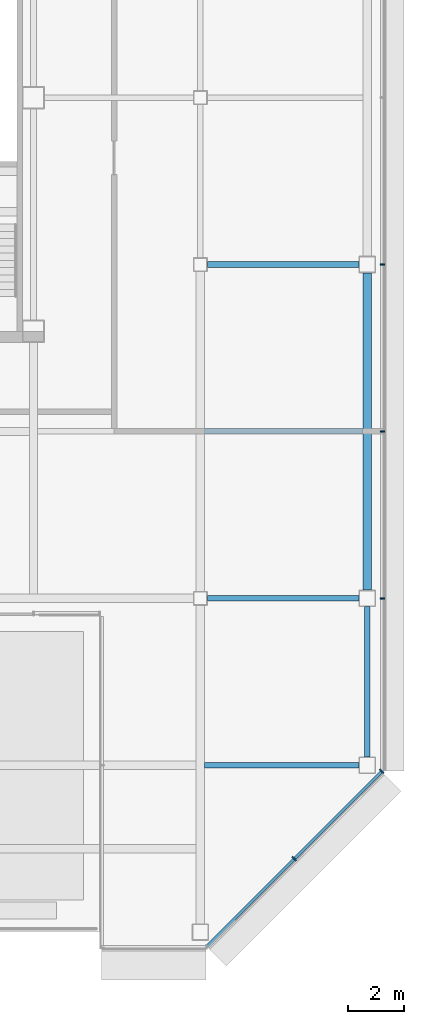
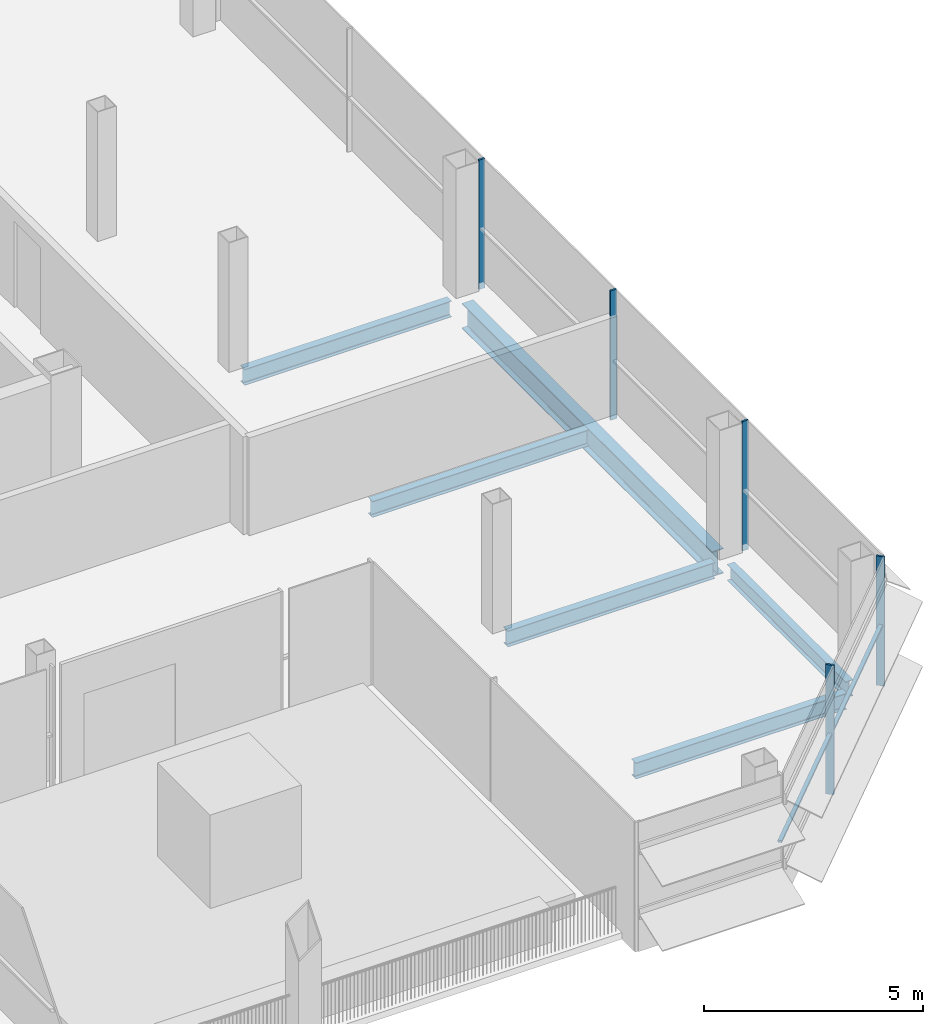
# One storey, part 18 of 30: 6 beams, 6 members, 2 elements without a shape of their own.
"""IFC4 building model written with IfcOpenShell, lengths in metres."""

from ifc_helpers import new_model, si_unit, direction, frame, origin, origin_2d, place, context, subcontext, project, spatial, rectangle, i_section, extrude, material, material_profile, profile_set, type_object, element, aggregate, save


model = new_model("IFC4")

# Units and contexts
model_context = context("Model", 3, precision=1e-05, world=origin(), true_north=direction((0.0, 1.0)))
body_context = subcontext(model_context, "Body", "Model", "MODEL_VIEW")
ifc_project = project(units=[si_unit("LENGTHUNIT", "METRE"), si_unit("AREAUNIT", "SQUARE_METRE"), si_unit("VOLUMEUNIT", "CUBIC_METRE"), si_unit("PLANEANGLEUNIT", "RADIAN"), si_unit("MASSUNIT", "GRAM", prefix="KILO")], contexts=[model_context])

# Site, building, storey
site_placement = place(None, origin())
site = spatial("IfcSite", under=ifc_project, at=site_placement, CompositionType="ELEMENT")
building_placement = place(site_placement, origin())
building = spatial("IfcBuilding", under=site, at=building_placement, Name="Sorahane Residences", CompositionType="ELEMENT")
storey_placement = place(building_placement, frame((0.0, 0.0, 263.0)))
storey = spatial("IfcBuildingStorey", under=building, at=storey_placement, Name="L62", CompositionType="ELEMENT", Elevation=263.0)

# Curtain wall, members
ifc_material_1 = material(Name="Dark low-e glass and black anodised aluminium", Category="aluminium")
curtain_wall_type_1 = type_object("IfcCurtainWallType", Name="Curtain wall CW-1 Typical unitised wall", PredefinedType="NOTDEFINED", material=ifc_material_1)
curtain_wall_1_placement = place(storey_placement, origin())
curtain_wall_1 = element("IfcCurtainWall", 1, at=curtain_wall_1_placement, inside=storey, type_object=curtain_wall_type_1, Name="CW-1 curtain wall L62 E2", PredefinedType="NOTDEFINED")
ifc_material_2 = material(Name="Black anodised aluminium", Category="aluminium")
ifc_material_profile_1 = material_profile(ifc_material_2, rectangle(XDim=0.159912109375, YDim=0.050048828125, at=origin_2d()), Name="Curtain wall mullion CW-1 black anodised aluminium 50x160")
ifc_profile_set_1 = profile_set([ifc_material_profile_1], Name="Black anodised aluminium")
member_type_1 = type_object("IfcMemberType", Name="Curtain wall mullion CW-1 black anodised aluminium 50x160", PredefinedType="MULLION", material=ifc_profile_set_1)
member_1_placement = place(storey_placement, frame((54.5400390625, 12.0, -0.179931640625), z_axis=(0.0, 0.0, 1.0), x_axis=(1.0, 0.0, 0.0)))
member_1 = element("IfcMember", 2, at=member_1_placement, type_object=member_type_1, Name="CW-1 mullion L62 E2.2", PredefinedType="MULLION", context=body_context, shape_type="SweptSolid", body=[
    extrude(rectangle(XDim=0.159912109375, YDim=0.050048828125, at=origin_2d()), origin(), (0.0, 0.0, 1.0), 3.599853515625),
])
member_2_placement = place(storey_placement, frame((54.5400390625, 18.0, -0.179931640625), z_axis=(0.0, 0.0, 1.0), x_axis=(1.0, 0.0, 0.0)))
member_2 = element("IfcMember", 3, at=member_2_placement, type_object=member_type_1, Name="CW-1 mullion L62 E2.3", PredefinedType="MULLION", context=body_context, shape_type="SweptSolid", body=[
    extrude(rectangle(XDim=0.159912109375, YDim=0.050048828125, at=origin_2d()), origin(), (0.0, 0.0, 1.0), 3.599853515625),
])
member_3_placement = place(storey_placement, frame((54.5400390625, 24.0, -0.179931640625), z_axis=(0.0, 0.0, 1.0), x_axis=(1.0, 0.0, 0.0)))
member_3 = element("IfcMember", 4, at=member_3_placement, type_object=member_type_1, Name="CW-1 mullion L62 E2.4", PredefinedType="MULLION", context=body_context, shape_type="SweptSolid", body=[
    extrude(rectangle(XDim=0.159912109375, YDim=0.050048828125, at=origin_2d()), origin(), (0.0, 0.0, 1.0), 3.599853515625),
])
aggregate(curtain_wall_1, [member_1, member_2, member_3])

ifc_material_3 = material(Name="Dark low-e glass and black anodised aluminium", Category="aluminium")
curtain_wall_type_2 = type_object("IfcCurtainWallType", Name="Curtain wall CW-2 Chamfer unitised wall", PredefinedType="NOTDEFINED", material=ifc_material_3)
curtain_wall_2_placement = place(storey_placement, origin())
curtain_wall_2 = element("IfcCurtainWall", 5, at=curtain_wall_2_placement, inside=storey, type_object=curtain_wall_type_2, Name="CW-2 curtain wall L62 SE1", PredefinedType="NOTDEFINED")
ifc_material_4 = material(Name="Black anodised aluminium", Category="aluminium")
ifc_material_profile_2 = material_profile(ifc_material_4, rectangle(XDim=0.199951171875, YDim=0.050048828125, at=origin_2d()), Name="Curtain wall mullion CW-2 black anodised aluminium 50x200")
ifc_profile_set_2 = profile_set([ifc_material_profile_2], Name="Black anodised aluminium")
member_type_2 = type_object("IfcMemberType", Name="Curtain wall mullion CW-2 black anodised aluminium 50x200", PredefinedType="MULLION", material=ifc_profile_set_2)
member_4_placement = place(storey_placement, frame((51.36767578125, 2.63232421875, -0.179931640625), z_axis=(0.0, 0.0, 1.0), x_axis=(0.707106781187, -0.707106781187, 0.0)))
member_4 = element("IfcMember", 6, at=member_4_placement, type_object=member_type_2, Name="CW-2 mullion L62 SE1.2", PredefinedType="MULLION", context=body_context, shape_type="SweptSolid", body=[
    extrude(rectangle(XDim=0.199951171875, YDim=0.050048828125, at=origin_2d()), origin(), (0.0, 0.0, 1.0), 3.599853515625),
])
member_5_placement = place(storey_placement, frame((54.525634765625, 5.790283203125, -0.179931640625), z_axis=(0.0, 0.0, 1.0), x_axis=(0.707106781187, -0.707106781187, 0.0)))
member_5 = element("IfcMember", 7, at=member_5_placement, type_object=member_type_2, Name="CW-2 mullion L62 SE1.3", PredefinedType="MULLION", context=body_context, shape_type="SweptSolid", body=[
    extrude(rectangle(XDim=0.199951171875, YDim=0.050048828125, at=origin_2d()), origin(), (0.0, 0.0, 1.0), 3.599853515625),
])
ifc_material_5 = material(Name="Black anodised aluminium", Category="aluminium")
ifc_material_profile_3 = material_profile(ifc_material_5, rectangle(XDim=0.10009765625, YDim=0.06005859375, at=origin_2d()), Name="Curtain wall transom CW-2 black anodised aluminium 60x100")
ifc_profile_set_3 = profile_set([ifc_material_profile_3], Name="Black anodised aluminium")
member_type_3 = type_object("IfcMemberType", Name="Curtain wall transom CW-2 black anodised aluminium 60x100", PredefinedType="USERDEFINED", material=ifc_profile_set_3)
member_6_placement = place(storey_placement, frame((48.234375, -0.51513671875, 1.5), z_axis=(0.707106781187, 0.707106781187, 0.0), x_axis=(-0.707106781187, 0.707106781187, 0.0)))
member_6 = element("IfcMember", 8, at=member_6_placement, type_object=member_type_3, Name="CW-2 transom L62 SE1", ObjectType="TRANSOM", PredefinedType="USERDEFINED", context=body_context, shape_type="SweptSolid", body=[
    extrude(rectangle(XDim=0.10009765625, YDim=0.06005859375, at=origin_2d()), origin(), (0.0, 0.0, 1.0), 8.88232421875),
])
aggregate(curtain_wall_2, [member_4, member_5, member_6])

# Beams
ifc_material_6 = material(Name="Steel Q355B", Category="steel")
ifc_material_profile_4 = material_profile(ifc_material_6, i_section(OverallWidth=0.199951171875, OverallDepth=0.449951171875, WebThickness=0.009033203125, FlangeThickness=0.013916015625, FilletRadius=0.02001953125, at=origin_2d()), Name="HN 450x200x9x14")
ifc_profile_set_4 = profile_set([ifc_material_profile_4], Name="Steel Q355B")
beam_type_1 = type_object("IfcBeamType", Name="Steel floor beam HN 450x200x9x14 Q355B", PredefinedType="BEAM", material=ifc_profile_set_4)
for number, where, z_axis, x_axis, name in (
    (9, (48.25, 12.0, -0.405029296875), (1.0, 0.0, 0.0), (0.0, 1.0, 0.0), "Beam L62 009"),
    (10, (48.25, 24.0, -0.405029296875), (1.0, 0.0, 0.0), (0.0, 1.0, 0.0), "Beam L62 011"),
):
    element("IfcBeam", number, at=place(storey_placement, frame(where, z_axis=z_axis, x_axis=x_axis)), inside=storey, type_object=beam_type_1, Name=name, PredefinedType="BEAM", context=body_context, shape_type="SweptSolid", body=[
        extrude(i_section(OverallWidth=0.199951171875, OverallDepth=0.449951171875, WebThickness=0.009033203125, FlangeThickness=0.013916015625, FilletRadius=0.02001953125, at=origin_2d()), origin(), (0.0, 0.0, 1.0), 5.449951171875),
    ])
beam_1_placement = place(storey_placement, frame((54.0, 6.300048828125, -0.405029296875), z_axis=(0.0, 1.0, 0.0), x_axis=(-1.0, 0.0, 0.0)))
element("IfcBeam", 11, at=beam_1_placement, inside=storey, type_object=beam_type_1, Name="Beam L62 061", PredefinedType="BEAM", context=body_context, shape_type="SweptSolid", body=[
    extrude(i_section(OverallWidth=0.199951171875, OverallDepth=0.449951171875, WebThickness=0.009033203125, FlangeThickness=0.013916015625, FilletRadius=0.02001953125, at=origin_2d()), origin(), (0.0, 0.0, 1.0), 5.39990234375),
])
beam_2_placement = place(storey_placement, frame((48.14990234375, 6.0, -0.405029296875), z_axis=(1.0, 0.0, 0.0), x_axis=(0.0, 1.0, 0.0)))
element("IfcBeam", 12, at=beam_2_placement, inside=storey, type_object=beam_type_1, Name="Beam L62 072", PredefinedType="BEAM", context=body_context, shape_type="SweptSolid", body=[
    extrude(i_section(OverallWidth=0.199951171875, OverallDepth=0.449951171875, WebThickness=0.009033203125, FlangeThickness=0.013916015625, FilletRadius=0.02001953125, at=origin_2d()), origin(), (0.0, 0.0, 1.0), 5.550048828125),
])
beam_3_placement = place(storey_placement, frame((48.14990234375, 18.0, -0.405029296875), z_axis=(1.0, 0.0, 0.0), x_axis=(0.0, 1.0, 0.0)))
element("IfcBeam", 13, at=beam_3_placement, inside=storey, type_object=beam_type_1, Name="Beam L62 079", PredefinedType="BEAM", context=body_context, shape_type="SweptSolid", body=[
    extrude(i_section(OverallWidth=0.199951171875, OverallDepth=0.449951171875, WebThickness=0.009033203125, FlangeThickness=0.013916015625, FilletRadius=0.02001953125, at=origin_2d()), origin(), (0.0, 0.0, 1.0), 5.7001953125),
])
ifc_material_7 = material(Name="Steel Q355B", Category="steel")
ifc_material_profile_5 = material_profile(ifc_material_7, i_section(OverallWidth=0.300048828125, OverallDepth=0.699951171875, WebThickness=0.012939453125, FlangeThickness=0.02392578125, FilletRadius=0.028076171875, at=origin_2d()), Name="HN 700x300x13x24")
ifc_profile_set_5 = profile_set([ifc_material_profile_5], Name="Steel Q355B")
beam_type_2 = type_object("IfcBeamType", Name="Steel floor beam HN 700x300x13x24 Q355B", PredefinedType="BEAM", material=ifc_profile_set_5)
beam_4_placement = place(storey_placement, frame((54.0, 12.300048828125, -0.530029296875), z_axis=(0.0, 1.0, 0.0), x_axis=(-1.0, 0.0, 0.0)))
element("IfcBeam", 14, at=beam_4_placement, inside=storey, type_object=beam_type_2, Name="Beam L62 062", PredefinedType="BEAM", context=body_context, shape_type="SweptSolid", body=[
    extrude(i_section(OverallWidth=0.300048828125, OverallDepth=0.699951171875, WebThickness=0.012939453125, FlangeThickness=0.02392578125, FilletRadius=0.028076171875, at=origin_2d()), origin(), (0.0, 0.0, 1.0), 11.39990234375),
])

save(model, "model.ifc")
